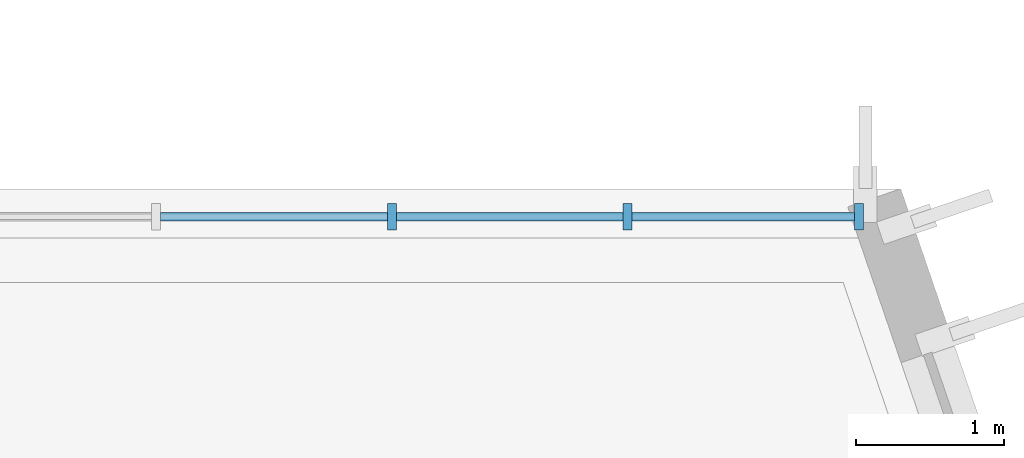
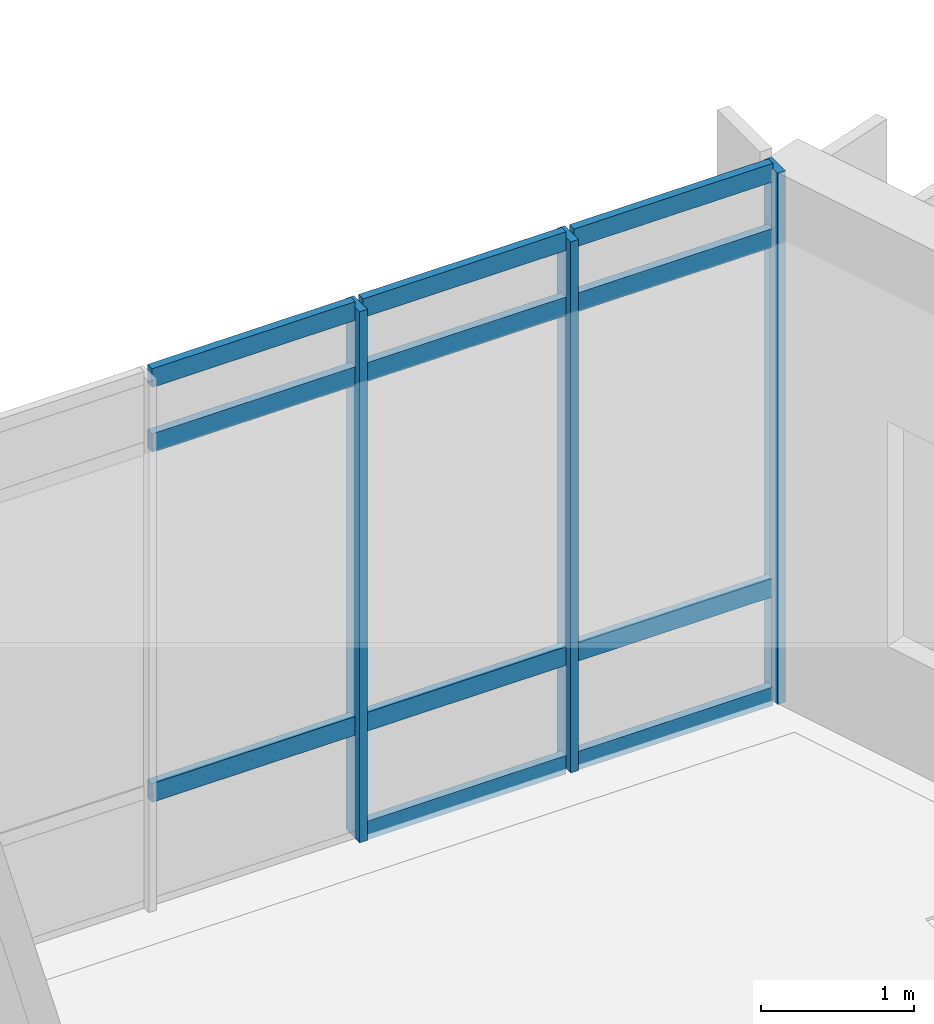
# One storey, part 46 of 100: 14 members, 1 element without a shape of its own.
"""IFC4 building model written with IfcOpenShell, lengths in metres."""

from ifc_helpers import new_model, si_unit, direction, frame, origin, origin_2d, place, context, subcontext, project, spatial, rectangle, extrude, material, material_profile, profile_set, type_object, element, aggregate, save


model = new_model("IFC4")

# Units and contexts
model_context = context("Model", 3, precision=1e-05, world=origin(), true_north=direction((0.0, 1.0)))
body_context = subcontext(model_context, "Body", "Model", "MODEL_VIEW")
ifc_project = project(units=[si_unit("LENGTHUNIT", "METRE"), si_unit("AREAUNIT", "SQUARE_METRE"), si_unit("VOLUMEUNIT", "CUBIC_METRE"), si_unit("PLANEANGLEUNIT", "RADIAN"), si_unit("MASSUNIT", "GRAM", prefix="KILO")], contexts=[model_context])

# Site, building, storey
site_placement = place(None, origin())
site = spatial("IfcSite", under=ifc_project, at=site_placement, CompositionType="ELEMENT")
building_placement = place(site_placement, origin())
building = spatial("IfcBuilding", under=site, at=building_placement, Name="Cymarion Research Institute", CompositionType="ELEMENT")
storey_placement = place(building_placement, frame((0.0, 0.0, 4.800048828125)))
storey = spatial("IfcBuildingStorey", under=building, at=storey_placement, Name="L01", CompositionType="ELEMENT", Elevation=4.800048828125)

# Curtain wall, members
ifc_material_1 = material(Name="Anodised aluminium unitised curtain wall with Low-E glazing", Category="aluminium")
curtain_wall_type = type_object("IfcCurtainWallType", Name="UNITISED CURTAIN WALL CW02 6390X4250", PredefinedType="NOTDEFINED", material=ifc_material_1)
curtain_wall_placement = place(storey_placement, origin())
curtain_wall = element("IfcCurtainWall", 1, at=curtain_wall_placement, inside=storey, type_object=curtain_wall_type, Name="L01 V1 unitised curtain wall CW02 #8", PredefinedType="NOTDEFINED")
ifc_material_2 = material(Name="Anodised aluminium framing", Category="aluminium")
ifc_material_profile_1 = material_profile(ifc_material_2, rectangle(XDim=0.06005859375, YDim=0.179931640625, at=origin_2d()), Name="ALU MULLION 60x180")
ifc_profile_set_1 = profile_set([ifc_material_profile_1], Name="Anodised aluminium framing")
member_type_1 = type_object("IfcMemberType", Name="CURTAIN WALL MULLION ML01 60X180", PredefinedType="MULLION", material=ifc_profile_set_1)
member_1_placement = place(storey_placement, frame((164.116455078125, 41.31005859375, 0.0), z_axis=(0.0, 0.0, 1.0), x_axis=(-1.0, 0.0, 0.0)))
member_1 = element("IfcMember", 2, at=member_1_placement, type_object=member_type_1, Name="CW02 mullion 1", PredefinedType="MULLION", context=body_context, shape_type="SweptSolid", body=[
    extrude(rectangle(XDim=0.06005859375, YDim=0.179931640625, at=origin_2d()), origin(), (0.0, 0.0, 1.0), 4.25),
])
member_2_placement = place(storey_placement, frame((162.5498046875, 41.31005859375, 0.0), z_axis=(0.0, 0.0, 1.0), x_axis=(-1.0, 0.0, 0.0)))
member_2 = element("IfcMember", 3, at=member_2_placement, type_object=member_type_1, Name="CW02 mullion 2", PredefinedType="MULLION", context=body_context, shape_type="SweptSolid", body=[
    extrude(rectangle(XDim=0.06005859375, YDim=0.179931640625, at=origin_2d()), origin(), (0.0, 0.0, 1.0), 4.25),
])
member_3_placement = place(storey_placement, frame((160.953125, 41.31005859375, 0.0), z_axis=(0.0, 0.0, 1.0), x_axis=(-1.0, 0.0, 0.0)))
member_3 = element("IfcMember", 4, at=member_3_placement, type_object=member_type_1, Name="CW02 mullion 3", PredefinedType="MULLION", context=body_context, shape_type="SweptSolid", body=[
    extrude(rectangle(XDim=0.06005859375, YDim=0.179931640625, at=origin_2d()), origin(), (0.0, 0.0, 1.0), 4.25),
])
ifc_material_profile_2 = material_profile(ifc_material_2, rectangle(XDim=0.06005859375, YDim=0.14990234375, at=origin_2d()), Name="ALU TRANSOM 60x150")
ifc_profile_set_2 = profile_set([ifc_material_profile_2], Name="Anodised aluminium framing")
member_type_2 = type_object("IfcMemberType", Name="CURTAIN WALL TRANSOM TR01 60X150", PredefinedType="USERDEFINED", material=ifc_profile_set_2)
member_4_placement = place(storey_placement, frame((164.08642578125, 41.31005859375, 0.030029296875), z_axis=(-1.0, 0.0, 0.0), x_axis=(0.0, -1.0, 0.0)))
member_4 = element("IfcMember", 5, at=member_4_placement, type_object=member_type_2, Name="CW02 transom 1.1", ObjectType="TRANSOM", PredefinedType="USERDEFINED", context=body_context, shape_type="SweptSolid", body=[
    extrude(rectangle(XDim=0.06005859375, YDim=0.14990234375, at=origin_2d()), origin(), (0.0, 0.0, 1.0), 1.506591796875),
])
member_5_placement = place(storey_placement, frame((164.08642578125, 41.31005859375, 0.89990234375), z_axis=(-1.0, 0.0, 0.0), x_axis=(0.0, -1.0, 0.0)))
member_5 = element("IfcMember", 6, at=member_5_placement, type_object=member_type_2, Name="CW02 transom 1.2", ObjectType="TRANSOM", PredefinedType="USERDEFINED", context=body_context, shape_type="SweptSolid", body=[
    extrude(rectangle(XDim=0.06005859375, YDim=0.14990234375, at=origin_2d()), origin(), (0.0, 0.0, 1.0), 1.506591796875),
])
member_6_placement = place(storey_placement, frame((164.08642578125, 41.31005859375, 3.699951171875), z_axis=(-1.0, 0.0, 0.0), x_axis=(0.0, -1.0, 0.0)))
member_6 = element("IfcMember", 7, at=member_6_placement, type_object=member_type_2, Name="CW02 transom 1.3", ObjectType="TRANSOM", PredefinedType="USERDEFINED", context=body_context, shape_type="SweptSolid", body=[
    extrude(rectangle(XDim=0.06005859375, YDim=0.14990234375, at=origin_2d()), origin(), (0.0, 0.0, 1.0), 1.506591796875),
])
member_7_placement = place(storey_placement, frame((164.08642578125, 41.31005859375, 4.219970703125), z_axis=(-1.0, 0.0, 0.0), x_axis=(0.0, -1.0, 0.0)))
member_7 = element("IfcMember", 8, at=member_7_placement, type_object=member_type_2, Name="CW02 transom 1.4", ObjectType="TRANSOM", PredefinedType="USERDEFINED", context=body_context, shape_type="SweptSolid", body=[
    extrude(rectangle(XDim=0.06005859375, YDim=0.14990234375, at=origin_2d()), origin(), (0.0, 0.0, 1.0), 1.506591796875),
])
member_8_placement = place(storey_placement, frame((162.519775390625, 41.31005859375, 0.030029296875), z_axis=(-1.0, 0.0, 0.0), x_axis=(0.0, -1.0, 0.0)))
member_8 = element("IfcMember", 9, at=member_8_placement, type_object=member_type_2, Name="CW02 transom 2.1", ObjectType="TRANSOM", PredefinedType="USERDEFINED", context=body_context, shape_type="SweptSolid", body=[
    extrude(rectangle(XDim=0.06005859375, YDim=0.14990234375, at=origin_2d()), origin(), (0.0, 0.0, 1.0), 1.53662109375),
])
member_9_placement = place(storey_placement, frame((162.519775390625, 41.31005859375, 0.89990234375), z_axis=(-1.0, 0.0, 0.0), x_axis=(0.0, -1.0, 0.0)))
member_9 = element("IfcMember", 10, at=member_9_placement, type_object=member_type_2, Name="CW02 transom 2.2", ObjectType="TRANSOM", PredefinedType="USERDEFINED", context=body_context, shape_type="SweptSolid", body=[
    extrude(rectangle(XDim=0.06005859375, YDim=0.14990234375, at=origin_2d()), origin(), (0.0, 0.0, 1.0), 1.53662109375),
])
member_10_placement = place(storey_placement, frame((162.519775390625, 41.31005859375, 3.699951171875), z_axis=(-1.0, 0.0, 0.0), x_axis=(0.0, -1.0, 0.0)))
member_10 = element("IfcMember", 11, at=member_10_placement, type_object=member_type_2, Name="CW02 transom 2.3", ObjectType="TRANSOM", PredefinedType="USERDEFINED", context=body_context, shape_type="SweptSolid", body=[
    extrude(rectangle(XDim=0.06005859375, YDim=0.14990234375, at=origin_2d()), origin(), (0.0, 0.0, 1.0), 1.53662109375),
])
member_11_placement = place(storey_placement, frame((162.519775390625, 41.31005859375, 4.219970703125), z_axis=(-1.0, 0.0, 0.0), x_axis=(0.0, -1.0, 0.0)))
member_11 = element("IfcMember", 12, at=member_11_placement, type_object=member_type_2, Name="CW02 transom 2.4", ObjectType="TRANSOM", PredefinedType="USERDEFINED", context=body_context, shape_type="SweptSolid", body=[
    extrude(rectangle(XDim=0.06005859375, YDim=0.14990234375, at=origin_2d()), origin(), (0.0, 0.0, 1.0), 1.53662109375),
])
member_12_placement = place(storey_placement, frame((160.923095703125, 41.31005859375, 0.89990234375), z_axis=(-1.0, 0.0, 0.0), x_axis=(0.0, -1.0, 0.0)))
member_12 = element("IfcMember", 13, at=member_12_placement, type_object=member_type_2, Name="CW02 transom 3.2", ObjectType="TRANSOM", PredefinedType="USERDEFINED", context=body_context, shape_type="SweptSolid", body=[
    extrude(rectangle(XDim=0.06005859375, YDim=0.14990234375, at=origin_2d()), origin(), (0.0, 0.0, 1.0), 1.53662109375),
])
member_13_placement = place(storey_placement, frame((160.923095703125, 41.31005859375, 3.699951171875), z_axis=(-1.0, 0.0, 0.0), x_axis=(0.0, -1.0, 0.0)))
member_13 = element("IfcMember", 14, at=member_13_placement, type_object=member_type_2, Name="CW02 transom 3.3", ObjectType="TRANSOM", PredefinedType="USERDEFINED", context=body_context, shape_type="SweptSolid", body=[
    extrude(rectangle(XDim=0.06005859375, YDim=0.14990234375, at=origin_2d()), origin(), (0.0, 0.0, 1.0), 1.53662109375),
])
member_14_placement = place(storey_placement, frame((160.923095703125, 41.31005859375, 4.219970703125), z_axis=(-1.0, 0.0, 0.0), x_axis=(0.0, -1.0, 0.0)))
member_14 = element("IfcMember", 15, at=member_14_placement, type_object=member_type_2, Name="CW02 transom 3.4", ObjectType="TRANSOM", PredefinedType="USERDEFINED", context=body_context, shape_type="SweptSolid", body=[
    extrude(rectangle(XDim=0.06005859375, YDim=0.14990234375, at=origin_2d()), origin(), (0.0, 0.0, 1.0), 1.53662109375),
])
aggregate(curtain_wall, [member_1, member_2, member_3, member_4, member_5, member_6, member_7, member_8, member_9, member_10, member_11, member_12, member_13, member_14])

save(model, "model.ifc")
